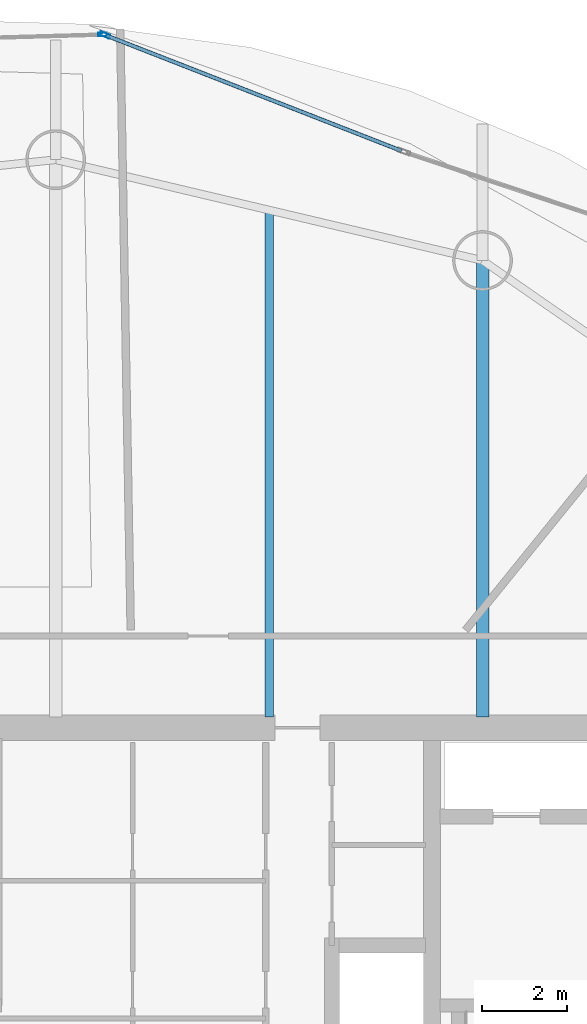
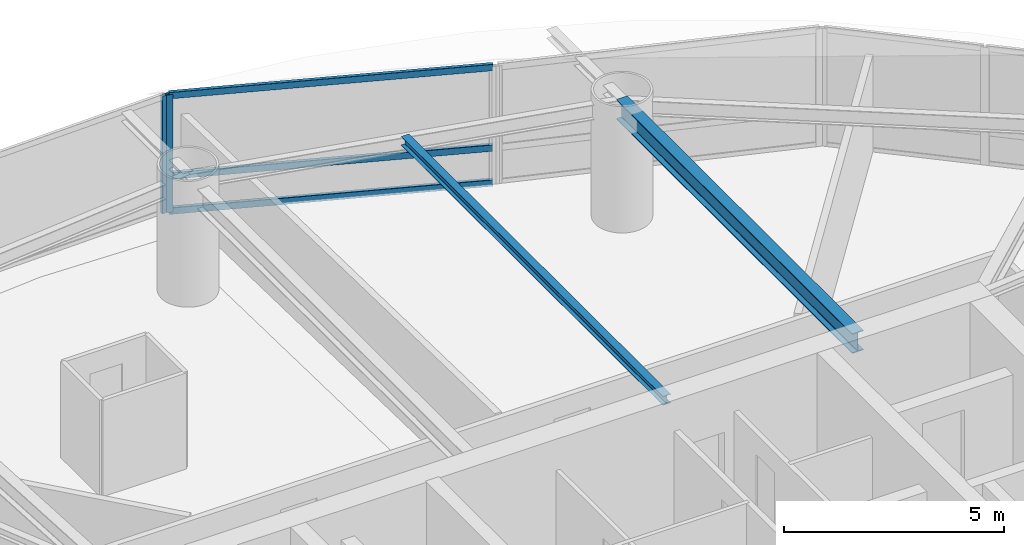
# One storey, part 10 of 20: 5 members, 2 beams, 2 elements without a shape of their own.
"""IFC4 building model written with IfcOpenShell, lengths in metres."""

from ifc_helpers import new_model, si_unit, direction, frame, origin, origin_2d, place, context, subcontext, project, spatial, hollow_rectangle, i_section, extrude, material, layer, layer_set, material_profile, profile_set, type_object, element, aggregate, save


model = new_model("IFC4")

# Units and contexts
model_context = context("Model", 3, precision=1e-05, world=origin(), true_north=direction((0.0, 1.0)))
body_context = subcontext(model_context, "Body", "Model", "MODEL_VIEW")
ifc_project = project(units=[si_unit("LENGTHUNIT", "METRE"), si_unit("AREAUNIT", "SQUARE_METRE"), si_unit("VOLUMEUNIT", "CUBIC_METRE"), si_unit("PLANEANGLEUNIT", "RADIAN"), si_unit("MASSUNIT", "GRAM", prefix="KILO")], contexts=[model_context])

# Site, building, storey
site_placement = place(None, origin())
site = spatial("IfcSite", under=ifc_project, at=site_placement, CompositionType="ELEMENT")
building_placement = place(site_placement, origin())
building = spatial("IfcBuilding", under=site, at=building_placement, Name="Bramvorn Convention Spire", CompositionType="ELEMENT")
storey_placement = place(building_placement, frame((0.0, 0.0, 113.300048828125)))
storey = spatial("IfcBuildingStorey", under=building, at=storey_placement, Name="L27", CompositionType="ELEMENT", Elevation=113.300048828125)

# Beams
ifc_material_1 = material(Name="Steel CSA G40.21 Grade 350 (350W)", Category="steel")
ifc_material_profile_1 = material_profile(ifc_material_1, i_section(OverallWidth=0.201904296875, OverallDepth=0.2470703125, WebThickness=0.00732421875, FlangeThickness=0.010986328125, FilletRadius=0.011962890625, at=origin_2d()))
ifc_profile_set_1 = profile_set([ifc_material_profile_1], Name="Steel CSA G40.21 Grade 350 (350W) - W250X49")
beam_type_1 = type_object("IfcBeamType", Name="BM-W250X49", PredefinedType="JOIST", material=ifc_profile_set_1)
beam_1_placement = place(storey_placement, frame((41.079345703125, 33.449951171875, 3.136474609375), z_axis=(0.0, 1.0, 0.0), x_axis=(-1.0, 0.0, 0.0)))
element("IfcBeam", 1, at=beam_1_placement, inside=storey, type_object=beam_type_1, Name="L27 composite floor joist 05", PredefinedType="JOIST", context=body_context, shape_type="SweptSolid", body=[
    extrude(i_section(OverallWidth=0.201904296875, OverallDepth=0.2470703125, WebThickness=0.00732421875, FlangeThickness=0.010986328125, FilletRadius=0.011962890625, at=origin_2d()), origin(), (0.0, 0.0, 1.0), 11.8857421875),
])
ifc_material_profile_2 = material_profile(ifc_material_1, i_section(OverallWidth=0.2919921875, OverallDepth=0.551025390625, WebThickness=0.01513671875, FlangeThickness=0.0244140625, FilletRadius=0.01904296875, at=origin_2d()))
ifc_profile_set_2 = profile_set([ifc_material_profile_2], Name="Steel CSA G40.21 Grade 350 (350W) - W530X182")
beam_type_2 = type_object("IfcBeamType", Name="BM-W530X182", PredefinedType="BEAM", material=ifc_profile_set_2)
beam_2_placement = place(storey_placement, frame((46.082763671875, 33.449951171875, 2.984375), z_axis=(0.0, 1.0, 0.0), x_axis=(-1.0, 0.0, 0.0)))
element("IfcBeam", 2, at=beam_2_placement, inside=storey, type_object=beam_type_2, Name="L27 radial floor girder MC05", PredefinedType="BEAM", context=body_context, shape_type="SweptSolid", body=[
    extrude(i_section(OverallWidth=0.2919921875, OverallDepth=0.551025390625, WebThickness=0.01513671875, FlangeThickness=0.0244140625, FilletRadius=0.01904296875, at=origin_2d()), origin(), (0.0, 0.0, 1.0), 10.7041015625),
])

# Curtain wall, member
ifc_material_2 = material(Name="Anodised Bronze Unitised Curtain Wall", Category="aluminium")
ifc_layer_1 = layer(ifc_material_2, 0.179931640625)
ifc_layer_set_1 = layer_set([ifc_layer_1], Name="Anodised Bronze Unitised Curtain Wall - CW-HTL-FRIT")
curtain_wall_type_1 = type_object("IfcCurtainWallType", Name="CW-HTL-FRIT", PredefinedType="USERDEFINED", material=ifc_layer_set_1)
curtain_wall_1_placement = place(storey_placement, origin())
curtain_wall_1 = element("IfcCurtainWall", 3, at=curtain_wall_1_placement, inside=storey, type_object=curtain_wall_type_1, Name="L27 fritted glass curtain wall 08", ObjectType="UNITISED CURTAIN WALL", PredefinedType="USERDEFINED")
ifc_material_3 = material(Name="Anodised Bronze Aluminium 6063-T6", Category="aluminium")
ifc_material_profile_3 = material_profile(ifc_material_3, hollow_rectangle(XDim=0.080078125, YDim=0.199951171875, WallThickness=0.00390625, InnerFilletRadius=0.0009765625, OuterFilletRadius=0.00390625, at=origin_2d()))
ifc_profile_set_3 = profile_set([ifc_material_profile_3], Name="Anodised Bronze Aluminium 6063-T6 - CWM80X200")
member_type_1 = type_object("IfcMemberType", Name="CW-MUL-180", PredefinedType="MULLION", material=ifc_profile_set_3)
member_1_placement = place(storey_placement, frame((37.171630859375, 49.451416015625, 0.0), z_axis=(0.0, 0.0, 1.0), x_axis=(-0.028787957886, 0.999585540852, 0.0)))
member_1 = element("IfcMember", 4, at=member_1_placement, type_object=member_type_1, Name="CW2 mullion 2", PredefinedType="MULLION", context=body_context, shape_type="SweptSolid", body=[
    extrude(hollow_rectangle(XDim=0.080078125, YDim=0.199951171875, WallThickness=0.00390625, InnerFilletRadius=0.0009765625, OuterFilletRadius=0.00390625, at=origin_2d()), origin(), (0.0, 0.0, 1.0), 3.260009765625),
])
aggregate(curtain_wall_1, [member_1])

# Curtain wall, members
ifc_layer_2 = layer(ifc_material_2, 0.219970703125)
ifc_layer_set_2 = layer_set([ifc_layer_2], Name="Anodised Bronze Unitised Curtain Wall - CW-SKYGARDEN")
curtain_wall_type_2 = type_object("IfcCurtainWallType", Name="CW-SKYGARDEN", PredefinedType="USERDEFINED", material=ifc_layer_set_2)
curtain_wall_2_placement = place(storey_placement, origin())
curtain_wall_2 = element("IfcCurtainWall", 5, at=curtain_wall_2_placement, inside=storey, type_object=curtain_wall_type_2, Name="L27 Sky Garden glazed facade 07", ObjectType="WINTER GARDEN GLAZING", PredefinedType="USERDEFINED")
ifc_material_profile_4 = material_profile(ifc_material_3, hollow_rectangle(XDim=0.090087890625, YDim=0.239990234375, WallThickness=0.00439453125, InnerFilletRadius=0.0009765625, OuterFilletRadius=0.00439453125, at=origin_2d()))
ifc_profile_set_4 = profile_set([ifc_material_profile_4], Name="Anodised Bronze Aluminium 6063-T6 - CWM90X240")
member_type_2 = type_object("IfcMemberType", Name="CW-MUL-220", PredefinedType="MULLION", material=ifc_profile_set_4)
member_2_placement = place(storey_placement, frame((37.2294921875, 49.441162109375, 0.0), z_axis=(0.0, 0.0, 1.0), x_axis=(0.363961601175, 0.931413953551, 0.0)))
member_2 = element("IfcMember", 6, at=member_2_placement, type_object=member_type_2, Name="CW4 mullion 1", PredefinedType="MULLION", context=body_context, shape_type="SweptSolid", body=[
    extrude(hollow_rectangle(XDim=0.090087890625, YDim=0.239990234375, WallThickness=0.00439453125, InnerFilletRadius=0.0009765625, OuterFilletRadius=0.00439453125, at=origin_2d()), origin(), (0.0, 0.0, 1.0), 3.260009765625),
])
ifc_material_profile_5 = material_profile(ifc_material_3, hollow_rectangle(XDim=0.090087890625, YDim=0.179931640625, WallThickness=0.00439453125, InnerFilletRadius=0.0009765625, OuterFilletRadius=0.00439453125, at=origin_2d()))
ifc_profile_set_5 = profile_set([ifc_material_profile_5], Name="Anodised Bronze Aluminium 6063-T6 - CWT90X180")
member_type_3 = type_object("IfcMemberType", Name="CW-TRN-180", PredefinedType="USERDEFINED", material=ifc_profile_set_5)
member_3_placement = place(storey_placement, frame((37.257568359375, 49.430419921875, 0.030029296875), z_axis=(0.931404996806, -0.363984521546, 0.0), x_axis=(0.363984521546, 0.931404996806, 0.0)))
member_3 = element("IfcMember", 7, at=member_3_placement, type_object=member_type_3, Name="CW4 transom 1.1", ObjectType="TRANSOM", PredefinedType="USERDEFINED", context=body_context, shape_type="SweptSolid", body=[
    extrude(hollow_rectangle(XDim=0.090087890625, YDim=0.179931640625, WallThickness=0.00439453125, InnerFilletRadius=0.0009765625, OuterFilletRadius=0.00439453125, at=origin_2d()), origin(), (0.0, 0.0, 1.0), 7.4345703125),
])
member_4_placement = place(storey_placement, frame((37.257568359375, 49.430419921875, 1.0), z_axis=(0.931404996806, -0.363984521546, 0.0), x_axis=(0.363984521546, 0.931404996806, 0.0)))
member_4 = element("IfcMember", 8, at=member_4_placement, type_object=member_type_3, Name="CW4 transom 1.2", ObjectType="TRANSOM", PredefinedType="USERDEFINED", context=body_context, shape_type="SweptSolid", body=[
    extrude(hollow_rectangle(XDim=0.090087890625, YDim=0.179931640625, WallThickness=0.00439453125, InnerFilletRadius=0.0009765625, OuterFilletRadius=0.00439453125, at=origin_2d()), origin(), (0.0, 0.0, 1.0), 7.4345703125),
])
member_5_placement = place(storey_placement, frame((37.257568359375, 49.430419921875, 3.22998046875), z_axis=(0.931404996806, -0.363984521546, 0.0), x_axis=(0.363984521546, 0.931404996806, 0.0)))
member_5 = element("IfcMember", 9, at=member_5_placement, type_object=member_type_3, Name="CW4 transom 1.3", ObjectType="TRANSOM", PredefinedType="USERDEFINED", context=body_context, shape_type="SweptSolid", body=[
    extrude(hollow_rectangle(XDim=0.090087890625, YDim=0.179931640625, WallThickness=0.00439453125, InnerFilletRadius=0.0009765625, OuterFilletRadius=0.00439453125, at=origin_2d()), origin(), (0.0, 0.0, 1.0), 7.4345703125),
])
aggregate(curtain_wall_2, [member_2, member_3, member_4, member_5])

save(model, "model.ifc")
